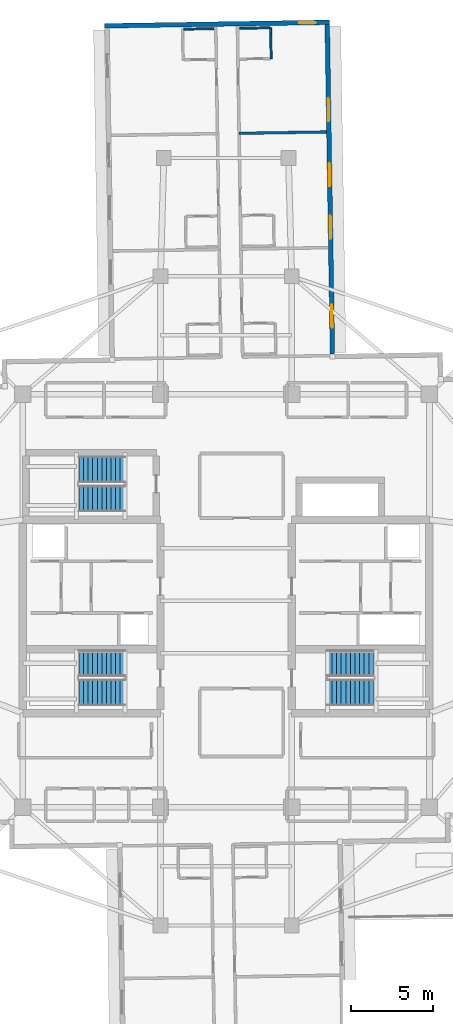
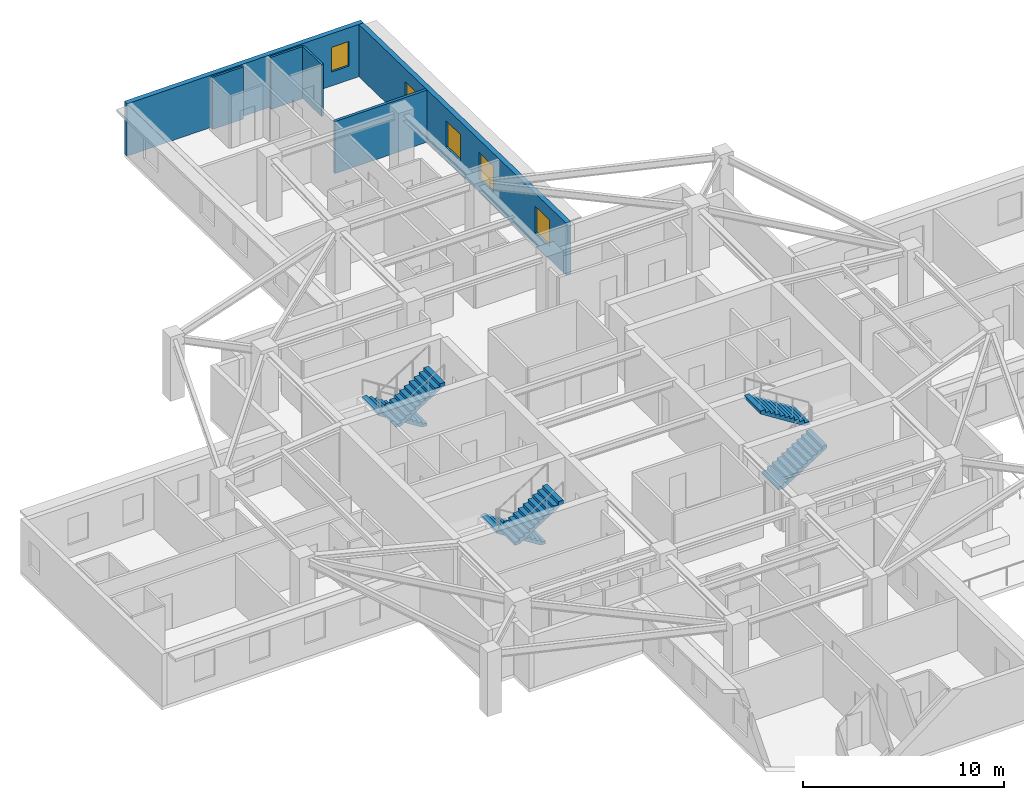
# One storey, part 9 of 13: 6 stair flights, 6 walls, 5 windows, 5 openings, 3 elements without a shape of their own.
"""IFC4 building model written with IfcOpenShell, lengths in metres."""

from ifc_helpers import new_model, si_unit, direction, frame, frame_2d, origin, place, context, subcontext, project, spatial, polyline, rectangle, outline, extrude, material, layer, layer_set, type_object, element, fill, aggregate, save


model = new_model("IFC4")

# Units and contexts
model_context = context("Model", 3, precision=1e-05, world=origin(), true_north=direction((0.0, 1.0)))
body_context = subcontext(model_context, "Body", "Model", "MODEL_VIEW")
ifc_project = project(units=[si_unit("LENGTHUNIT", "METRE"), si_unit("AREAUNIT", "SQUARE_METRE"), si_unit("VOLUMEUNIT", "CUBIC_METRE"), si_unit("PLANEANGLEUNIT", "RADIAN"), si_unit("MASSUNIT", "GRAM", prefix="KILO")], contexts=[model_context])

# Site, building, storey
site_placement = place(None, origin())
site = spatial("IfcSite", under=ifc_project, at=site_placement, CompositionType="ELEMENT")
building_placement = place(site_placement, origin())
building = spatial("IfcBuilding", under=site, at=building_placement, Name="Qingluan Cross Belvedere", CompositionType="ELEMENT")
storey_placement = place(building_placement, frame((0.0, 0.0, 220.800048828125)))
storey = spatial("IfcBuildingStorey", under=building, at=storey_placement, Name="L55", CompositionType="ELEMENT", Elevation=220.800048828125)

# Walls
ifc_material_1 = material(Name="Gypsum plasterboard on steel stud acoustic partition", Category="steel")
ifc_layer_1 = layer(ifc_material_1, 0.159912109375, Name="CorridorPartition_160")
ifc_layer_set_1 = layer_set([ifc_layer_1], Name="Gypsum plasterboard on steel stud acoustic partition")
wall_type_1 = type_object("IfcWallType", Name="CorridorPartition_160", PredefinedType="PARTITIONING", material=ifc_layer_set_1)
wall_1_placement = place(storey_placement, frame((0.792236328125, 28.510986328125, 0.0), z_axis=(0.0, 0.0, 1.0), x_axis=(0.999876663408, 0.015705348516, 0.0)))
element("IfcWall", 1, at=wall_1_placement, inside=storey, type_object=wall_type_1, Name="Partition L55:N:d0_1", PredefinedType="PARTITIONING", context=body_context, shape_type="SweptSolid", body=[
    extrude(rectangle(XDim=5.33203125, YDim=0.159912109375, at=frame_2d((2.666015625, 0.0))), origin(), (0.0, 0.0, 1.0), 3.169921875),
])
ifc_material_2 = material(Name="Moisture-resistant gypsum board lining")
ifc_layer_2 = layer(ifc_material_2, 0.1201171875, Name="EnsuiteWetPartition_120")
ifc_layer_set_2 = layer_set([ifc_layer_2], Name="Moisture-resistant gypsum board lining")
wall_type_2 = type_object("IfcWallType", Name="EnsuiteWetPartition_120", PredefinedType="PARTITIONING", material=ifc_layer_set_2)
wall_2_placement = place(storey_placement, frame((0.83154296875, 34.91748046875, 0.0), z_axis=(0.0, 0.0, 1.0), x_axis=(0.999876836305, 0.015694337248, 0.0)))
element("IfcWall", 2, at=wall_2_placement, inside=storey, type_object=wall_type_2, Name="Partition L55:N:bw0_2", PredefinedType="PARTITIONING", context=body_context, shape_type="SweptSolid", body=[
    extrude(rectangle(XDim=1.820068359375, YDim=0.1201171875, at=frame_2d((0.91015625, 0.0))), origin(), (0.0, 0.0, 1.0), 3.169921875),
])
wall_3_placement = place(storey_placement, frame((2.745849609375, 33.067138671875, 0.0), z_axis=(0.0, 0.0, 1.0), x_axis=(-0.01571234584, 0.999876553475, 0.0)))
element("IfcWall", 3, at=wall_3_placement, inside=storey, type_object=wall_type_2, Name="Partition L55:N:bn0_2", PredefinedType="PARTITIONING", context=body_context, shape_type="SweptSolid", body=[
    extrude(rectangle(XDim=1.880126953125, YDim=0.1201171875, at=frame_2d((0.93994140625, 0.0))), origin(), (0.0, 0.0, 1.0), 3.169921875),
])
wall_4_placement = place(storey_placement, frame((-2.587890625, 34.86376953125, 0.0), z_axis=(0.0, 0.0, 1.0), x_axis=(0.999878899804, 0.015562317507, 0.0)))
element("IfcWall", 4, at=wall_4_placement, inside=storey, type_object=wall_type_2, Name="Partition L55:N:bw1_2", PredefinedType="PARTITIONING", context=body_context, shape_type="SweptSolid", body=[
    extrude(rectangle(XDim=1.81982421875, YDim=0.1201171875, at=frame_2d((0.909912109375, 0.0))), origin(), (0.0, 0.0, 1.0), 3.169921875),
])

# Wall, openings, windows
ifc_material_3 = material(Name="Precast concrete C45", Category="concrete")
ifc_layer_3 = layer(ifc_material_3, 0.280029296875, Name="PrecastFacadeWall_280")
ifc_layer_set_3 = layer_set([ifc_layer_3], Name="Precast concrete C45")
wall_type_3 = type_object("IfcWallType", Name="PrecastFacadeWall_280", PredefinedType="STANDARD", material=ifc_layer_set_3)
wall_5_placement = place(storey_placement, frame((6.484619140625, 15.043701171875, 0.0), z_axis=(0.0, 0.0, 1.0), x_axis=(-0.01571739401, 0.999876474133, 0.0)))
wall_5 = element("IfcWall", 5, at=wall_5_placement, inside=storey, type_object=wall_type_3, Name="Facade wall L55-NA", PredefinedType="STANDARD", context=body_context, shape_type="SweptSolid", body=[
    extrude(rectangle(XDim=20.099853515625, YDim=0.280029296875, at=frame_2d((10.0498046875, 0.0))), origin(), (0.0, 0.0, 1.0), 3.179931640625),
])
opening_1_placement = place(wall_5_placement, frame((1.60009765625, 0.0, 0.800048828125)))
opening_1 = element("IfcOpeningElement", 6, at=opening_1_placement, cuts=wall_5, Name="Opening W-01", PredefinedType="OPENING", context=body_context, shape_type="SweptSolid", body=[
    extrude(rectangle(XDim=1.39990234375, YDim=1.60009765625, at=frame_2d((0.699951171875, 0.800048828125))), frame((0.0, 0.14990234375, 0.0), z_axis=(0.0, -1.0, 0.0), x_axis=(1.0, 0.0, 0.0)), (0.0, 0.0, 1.0), 0.300048828125),
])
opening_2_placement = place(wall_5_placement, frame((7.050048828125, 0.0, 0.800048828125)))
opening_2 = element("IfcOpeningElement", 7, at=opening_2_placement, cuts=wall_5, Name="Opening W-01", PredefinedType="OPENING", context=body_context, shape_type="SweptSolid", body=[
    extrude(rectangle(XDim=1.39990234375, YDim=1.60009765625, at=frame_2d((0.699951171875, 0.800048828125))), frame((0.0, 0.14990234375, 0.0), z_axis=(0.0, -1.0, 0.0), x_axis=(1.0, 0.0, 0.0)), (0.0, 0.0, 1.0), 0.300048828125),
])
opening_3_placement = place(wall_5_placement, frame((10.25, 0.0, 0.800048828125)))
opening_3 = element("IfcOpeningElement", 8, at=opening_3_placement, cuts=wall_5, Name="Opening W-01", PredefinedType="OPENING", context=body_context, shape_type="SweptSolid", body=[
    extrude(rectangle(XDim=1.39990234375, YDim=1.60009765625, at=frame_2d((0.699951171875, 0.800048828125))), frame((0.0, 0.14990234375, 0.0), z_axis=(0.0, -1.0, 0.0), x_axis=(1.0, 0.0, 0.0)), (0.0, 0.0, 1.0), 0.300048828125),
])
opening_4_placement = place(wall_5_placement, frame((14.199951171875, 0.0, 0.800048828125)))
opening_4 = element("IfcOpeningElement", 9, at=opening_4_placement, cuts=wall_5, Name="Opening W-01", PredefinedType="OPENING", context=body_context, shape_type="SweptSolid", body=[
    extrude(rectangle(XDim=1.39990234375, YDim=1.60009765625, at=frame_2d((0.699951171875, 0.800048828125))), frame((0.0, 0.14990234375, 0.0), z_axis=(0.0, -1.0, 0.0), x_axis=(1.0, 0.0, 0.0)), (0.0, 0.0, 1.0), 0.300048828125),
])
ifc_material_4 = material(Name="Thermally broken triple Low-E glass in aluminium frame", Category="aluminium")
window_type_1 = type_object("IfcWindowType", Name="TriRibbonWin_1400x1600", PartitioningType="SINGLE_PANEL", PredefinedType="WINDOW", material=ifc_material_4)
window_1_placement = place(opening_1_placement, origin())
window_1 = element("IfcWindow", 10, at=window_1_placement, inside=storey, type_object=window_type_1, Name="Ribbon window L55-NA-1", OverallHeight=1.60009765625, OverallWidth=1.39990234375, PartitioningType="SINGLE_PANEL", PredefinedType="WINDOW", context=body_context, shape_type="SweptSolid", body=[
    extrude(rectangle(XDim=1.39990234375, YDim=1.60009765625, at=frame_2d((0.699951171875, 0.800048828125))), frame((0.0, 0.030029296875, 0.0), z_axis=(0.0, -1.0, 0.0), x_axis=(1.0, 0.0, 0.0)), (0.0, 0.0, 1.0), 0.06005859375),
])
fill(opening_1, window_1)
window_2_placement = place(opening_2_placement, origin())
window_2 = element("IfcWindow", 11, at=window_2_placement, inside=storey, type_object=window_type_1, Name="Ribbon window L55-NA-2", OverallHeight=1.60009765625, OverallWidth=1.39990234375, PartitioningType="SINGLE_PANEL", PredefinedType="WINDOW", context=body_context, shape_type="SweptSolid", body=[
    extrude(rectangle(XDim=1.39990234375, YDim=1.60009765625, at=frame_2d((0.699951171875, 0.800048828125))), frame((0.0, 0.030029296875, 0.0), z_axis=(0.0, -1.0, 0.0), x_axis=(1.0, 0.0, 0.0)), (0.0, 0.0, 1.0), 0.06005859375),
])
fill(opening_2, window_2)
window_3_placement = place(opening_3_placement, origin())
window_3 = element("IfcWindow", 12, at=window_3_placement, inside=storey, type_object=window_type_1, Name="Ribbon window L55-NA-3", OverallHeight=1.60009765625, OverallWidth=1.39990234375, PartitioningType="SINGLE_PANEL", PredefinedType="WINDOW", context=body_context, shape_type="SweptSolid", body=[
    extrude(rectangle(XDim=1.39990234375, YDim=1.60009765625, at=frame_2d((0.699951171875, 0.800048828125))), frame((0.0, 0.030029296875, 0.0), z_axis=(0.0, -1.0, 0.0), x_axis=(1.0, 0.0, 0.0)), (0.0, 0.0, 1.0), 0.06005859375),
])
fill(opening_3, window_3)
window_4_placement = place(opening_4_placement, origin())
window_4 = element("IfcWindow", 13, at=window_4_placement, inside=storey, type_object=window_type_1, Name="Ribbon window L55-NA-4", OverallHeight=1.60009765625, OverallWidth=1.39990234375, PartitioningType="SINGLE_PANEL", PredefinedType="WINDOW", context=body_context, shape_type="SweptSolid", body=[
    extrude(rectangle(XDim=1.39990234375, YDim=1.60009765625, at=frame_2d((0.699951171875, 0.800048828125))), frame((0.0, 0.030029296875, 0.0), z_axis=(0.0, -1.0, 0.0), x_axis=(1.0, 0.0, 0.0)), (0.0, 0.0, 1.0), 0.06005859375),
])
fill(opening_4, window_4)

# Wall, opening, window
wall_6_placement = place(storey_placement, frame((6.306640625, 35.283447265625, 0.0), z_axis=(0.0, 0.0, 1.0), x_axis=(-0.999876549481, -0.015712599986, 0.0)))
wall_6 = element("IfcWall", 14, at=wall_6_placement, inside=storey, type_object=wall_type_3, Name="Arm tip precast facade wall L55-N", PredefinedType="STANDARD", context=body_context, shape_type="SweptSolid", body=[
    extrude(rectangle(XDim=13.719970703125, YDim=0.280029296875, at=frame_2d((6.85986328125, 0.0))), origin(), (0.0, 0.0, 1.0), 3.179931640625),
])
opening_5_placement = place(wall_6_placement, frame((0.85009765625, 0.0, 0.85009765625)))
opening_5 = element("IfcOpeningElement", 15, at=opening_5_placement, cuts=wall_6, Name="Opening W-03", PredefinedType="OPENING", context=body_context, shape_type="SweptSolid", body=[
    extrude(rectangle(XDim=1.0, YDim=1.5, at=frame_2d((0.5, 0.75))), frame((0.0, 0.14990234375, 0.0), z_axis=(0.0, -1.0, 0.0), x_axis=(1.0, 0.0, 0.0)), (0.0, 0.0, 1.0), 0.300048828125),
])
ifc_material_5 = material(Name="Thermally broken triple Low-E glass in aluminium frame", Category="aluminium")
window_type_2 = type_object("IfcWindowType", Name="TriApexWin_1000x1500", PartitioningType="SINGLE_PANEL", PredefinedType="WINDOW", material=ifc_material_5)
window_5_placement = place(opening_5_placement, origin())
window_5 = element("IfcWindow", 16, at=window_5_placement, inside=storey, type_object=window_type_2, Name="Arm tip triangular window L55-N", OverallHeight=1.5, OverallWidth=1.0, PartitioningType="SINGLE_PANEL", PredefinedType="WINDOW", context=body_context, shape_type="SweptSolid", body=[
    extrude(rectangle(XDim=1.0, YDim=1.5, at=frame_2d((0.5, 0.75))), frame((0.0, 0.030029296875, 0.0), z_axis=(0.0, -1.0, 0.0), x_axis=(1.0, 0.0, 0.0)), (0.0, 0.0, 1.0), 0.06005859375),
])
fill(opening_5, window_5)

# Stair, stair flights
ifc_material_6 = material(Name="Concrete C40", Category="concrete")
stair_type = type_object("IfcStairType", Name="CoreDoglegStair_1620", PredefinedType="HALF_TURN_STAIR", material=ifc_material_6)
stair_1_placement = place(storey_placement, origin())
stair_1 = element("IfcStair", 17, at=stair_1_placement, inside=storey, type_object=stair_type, Name="L55 ST1", PredefinedType="HALF_TURN_STAIR")
ifc_material_7 = material(Name="Concrete C40", Category="concrete")
ifc_layer_4 = layer(ifc_material_7, 0.179931640625, Name="StairFlight_RC180")
ifc_layer_set_4 = layer_set([ifc_layer_4], Name="Concrete C40")
stair_flight_type = type_object("IfcStairFlightType", Name="StairFlight_RC180", PredefinedType="STRAIGHT", material=ifc_layer_set_4)
stair_flight_1_placement = place(storey_placement, frame((-6.179931640625, -3.81005859375, 0.0), z_axis=(0.0, 0.0, 1.0), x_axis=(-1.0, 0.0, 0.0)))
stair_flight_1 = element("IfcStairFlight", 18, at=stair_flight_1_placement, type_object=stair_flight_type, Name="ST1 flight 1", NumberOfRisers=11, NumberOfTreads=10, PredefinedType="STRAIGHT", RiserHeight=0.177272727, TreadLength=0.28, context=body_context, shape_type="SweptSolid", body=[
    extrude(outline(polyline([(0.0, 0.0), (0.0, 0.17724609375), (0.280029296875, 0.17724609375), (0.280029296875, 0.3544921875), (0.56005859375, 0.3544921875), (0.56005859375, 0.53173828125), (0.840087890625, 0.53173828125), (0.840087890625, 0.708984375), (1.1201171875, 0.708984375), (1.1201171875, 0.886474609375), (1.39990234375, 0.886474609375), (1.39990234375, 1.063720703125), (1.679931640625, 1.063720703125), (1.679931640625, 1.240966796875), (1.9599609375, 1.240966796875), (1.9599609375, 1.418212890625), (2.239990234375, 1.418212890625), (2.239990234375, 1.595458984375), (2.52001953125, 1.595458984375), (2.52001953125, 1.772705078125), (2.800048828125, 1.772705078125), (2.800048828125, 1.949951171875), (2.800048828125, 1.59521484375), (0.2802734375, 0.0), (0.0, 0.0)])), frame((0.0, 0.81005859375, 0.0), z_axis=(0.0, -1.0, 0.0), x_axis=(1.0, 0.0, 0.0)), (0.0, 0.0, 1.0), 1.6201171875),
])
stair_flight_2_placement = place(storey_placement, frame((-8.97998046875, -5.590087890625, 1.949951171875), z_axis=(0.0, 0.0, 1.0), x_axis=(1.0, 0.0, 0.0)))
stair_flight_2 = element("IfcStairFlight", 19, at=stair_flight_2_placement, type_object=stair_flight_type, Name="ST1 flight 2", NumberOfRisers=11, NumberOfTreads=10, PredefinedType="STRAIGHT", RiserHeight=0.177272727, TreadLength=0.28, context=body_context, shape_type="SweptSolid", body=[
    extrude(outline(polyline([(0.0, 0.0), (0.0, 0.17724609375), (0.280029296875, 0.17724609375), (0.280029296875, 0.3544921875), (0.56005859375, 0.3544921875), (0.56005859375, 0.53173828125), (0.840087890625, 0.53173828125), (0.840087890625, 0.708984375), (1.1201171875, 0.708984375), (1.1201171875, 0.886474609375), (1.39990234375, 0.886474609375), (1.39990234375, 1.063720703125), (1.679931640625, 1.063720703125), (1.679931640625, 1.240966796875), (1.9599609375, 1.240966796875), (1.9599609375, 1.418212890625), (2.239990234375, 1.418212890625), (2.239990234375, 1.595458984375), (2.52001953125, 1.595458984375), (2.52001953125, 1.772705078125), (2.800048828125, 1.772705078125), (2.800048828125, 1.949951171875), (2.800048828125, 1.59521484375), (0.2802734375, 0.0), (0.0, 0.0)])), frame((0.0, 0.81005859375, 0.0), z_axis=(0.0, -1.0, 0.0), x_axis=(1.0, 0.0, 0.0)), (0.0, 0.0, 1.0), 1.6201171875),
])
aggregate(stair_1, [stair_flight_1, stair_flight_2])

stair_2_placement = place(storey_placement, origin())
stair_2 = element("IfcStair", 20, at=stair_2_placement, inside=storey, type_object=stair_type, Name="L55 ST2", PredefinedType="HALF_TURN_STAIR")
stair_flight_3_placement = place(storey_placement, frame((6.179931640625, -5.590087890625, 0.0), z_axis=(0.0, 0.0, 1.0), x_axis=(1.0, 0.0, 0.0)))
stair_flight_3 = element("IfcStairFlight", 21, at=stair_flight_3_placement, type_object=stair_flight_type, Name="ST2 flight 1", NumberOfRisers=11, NumberOfTreads=10, PredefinedType="STRAIGHT", RiserHeight=0.177272727, TreadLength=0.28, context=body_context, shape_type="SweptSolid", body=[
    extrude(outline(polyline([(0.0, 0.0), (0.0, 0.17724609375), (0.280029296875, 0.17724609375), (0.280029296875, 0.3544921875), (0.56005859375, 0.3544921875), (0.56005859375, 0.53173828125), (0.840087890625, 0.53173828125), (0.840087890625, 0.708984375), (1.1201171875, 0.708984375), (1.1201171875, 0.886474609375), (1.39990234375, 0.886474609375), (1.39990234375, 1.063720703125), (1.679931640625, 1.063720703125), (1.679931640625, 1.240966796875), (1.9599609375, 1.240966796875), (1.9599609375, 1.418212890625), (2.239990234375, 1.418212890625), (2.239990234375, 1.595458984375), (2.52001953125, 1.595458984375), (2.52001953125, 1.772705078125), (2.800048828125, 1.772705078125), (2.800048828125, 1.949951171875), (2.800048828125, 1.59521484375), (0.2802734375, 0.0), (0.0, 0.0)])), frame((0.0, 0.81005859375, 0.0), z_axis=(0.0, -1.0, 0.0), x_axis=(1.0, 0.0, 0.0)), (0.0, 0.0, 1.0), 1.6201171875),
])
stair_flight_4_placement = place(storey_placement, frame((8.97998046875, -3.81005859375, 1.949951171875), z_axis=(0.0, 0.0, 1.0), x_axis=(-1.0, 0.0, 0.0)))
stair_flight_4 = element("IfcStairFlight", 22, at=stair_flight_4_placement, type_object=stair_flight_type, Name="ST2 flight 2", NumberOfRisers=11, NumberOfTreads=10, PredefinedType="STRAIGHT", RiserHeight=0.177272727, TreadLength=0.28, context=body_context, shape_type="SweptSolid", body=[
    extrude(outline(polyline([(0.0, 0.0), (0.0, 0.17724609375), (0.280029296875, 0.17724609375), (0.280029296875, 0.3544921875), (0.56005859375, 0.3544921875), (0.56005859375, 0.53173828125), (0.840087890625, 0.53173828125), (0.840087890625, 0.708984375), (1.1201171875, 0.708984375), (1.1201171875, 0.886474609375), (1.39990234375, 0.886474609375), (1.39990234375, 1.063720703125), (1.679931640625, 1.063720703125), (1.679931640625, 1.240966796875), (1.9599609375, 1.240966796875), (1.9599609375, 1.418212890625), (2.239990234375, 1.418212890625), (2.239990234375, 1.595458984375), (2.52001953125, 1.595458984375), (2.52001953125, 1.772705078125), (2.800048828125, 1.772705078125), (2.800048828125, 1.949951171875), (2.800048828125, 1.59521484375), (0.2802734375, 0.0), (0.0, 0.0)])), frame((0.0, 0.81005859375, 0.0), z_axis=(0.0, -1.0, 0.0), x_axis=(1.0, 0.0, 0.0)), (0.0, 0.0, 1.0), 1.6201171875),
])
aggregate(stair_2, [stair_flight_3, stair_flight_4])

stair_3_placement = place(storey_placement, origin())
stair_3 = element("IfcStair", 23, at=stair_3_placement, inside=storey, type_object=stair_type, Name="L55 ST3", PredefinedType="HALF_TURN_STAIR")
stair_flight_5_placement = place(storey_placement, frame((-6.179931640625, 8.010009765625, 0.0), z_axis=(0.0, 0.0, 1.0), x_axis=(-1.0, 0.0, 0.0)))
stair_flight_5 = element("IfcStairFlight", 24, at=stair_flight_5_placement, type_object=stair_flight_type, Name="ST3 flight 1", NumberOfRisers=11, NumberOfTreads=10, PredefinedType="STRAIGHT", RiserHeight=0.177272727, TreadLength=0.28, context=body_context, shape_type="SweptSolid", body=[
    extrude(outline(polyline([(0.0, 0.0), (0.0, 0.17724609375), (0.280029296875, 0.17724609375), (0.280029296875, 0.3544921875), (0.56005859375, 0.3544921875), (0.56005859375, 0.53173828125), (0.840087890625, 0.53173828125), (0.840087890625, 0.708984375), (1.1201171875, 0.708984375), (1.1201171875, 0.886474609375), (1.39990234375, 0.886474609375), (1.39990234375, 1.063720703125), (1.679931640625, 1.063720703125), (1.679931640625, 1.240966796875), (1.9599609375, 1.240966796875), (1.9599609375, 1.418212890625), (2.239990234375, 1.418212890625), (2.239990234375, 1.595458984375), (2.52001953125, 1.595458984375), (2.52001953125, 1.772705078125), (2.800048828125, 1.772705078125), (2.800048828125, 1.949951171875), (2.800048828125, 1.59521484375), (0.2802734375, 0.0), (0.0, 0.0)])), frame((0.0, 0.81005859375, 0.0), z_axis=(0.0, -1.0, 0.0), x_axis=(1.0, 0.0, 0.0)), (0.0, 0.0, 1.0), 1.6201171875),
])
stair_flight_6_placement = place(storey_placement, frame((-8.97998046875, 6.22998046875, 1.949951171875), z_axis=(0.0, 0.0, 1.0), x_axis=(1.0, 0.0, 0.0)))
stair_flight_6 = element("IfcStairFlight", 25, at=stair_flight_6_placement, type_object=stair_flight_type, Name="ST3 flight 2", NumberOfRisers=11, NumberOfTreads=10, PredefinedType="STRAIGHT", RiserHeight=0.177272727, TreadLength=0.28, context=body_context, shape_type="SweptSolid", body=[
    extrude(outline(polyline([(0.0, 0.0), (0.0, 0.17724609375), (0.280029296875, 0.17724609375), (0.280029296875, 0.3544921875), (0.56005859375, 0.3544921875), (0.56005859375, 0.53173828125), (0.840087890625, 0.53173828125), (0.840087890625, 0.708984375), (1.1201171875, 0.708984375), (1.1201171875, 0.886474609375), (1.39990234375, 0.886474609375), (1.39990234375, 1.063720703125), (1.679931640625, 1.063720703125), (1.679931640625, 1.240966796875), (1.9599609375, 1.240966796875), (1.9599609375, 1.418212890625), (2.239990234375, 1.418212890625), (2.239990234375, 1.595458984375), (2.52001953125, 1.595458984375), (2.52001953125, 1.772705078125), (2.800048828125, 1.772705078125), (2.800048828125, 1.949951171875), (2.800048828125, 1.59521484375), (0.2802734375, 0.0), (0.0, 0.0)])), frame((0.0, 0.81005859375, 0.0), z_axis=(0.0, -1.0, 0.0), x_axis=(1.0, 0.0, 0.0)), (0.0, 0.0, 1.0), 1.6201171875),
])
aggregate(stair_3, [stair_flight_5, stair_flight_6])

save(model, "model.ifc")
